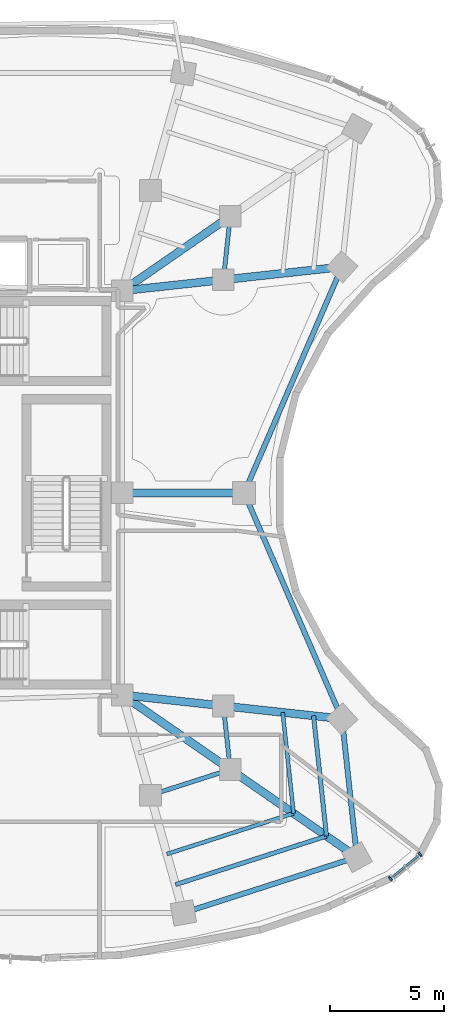
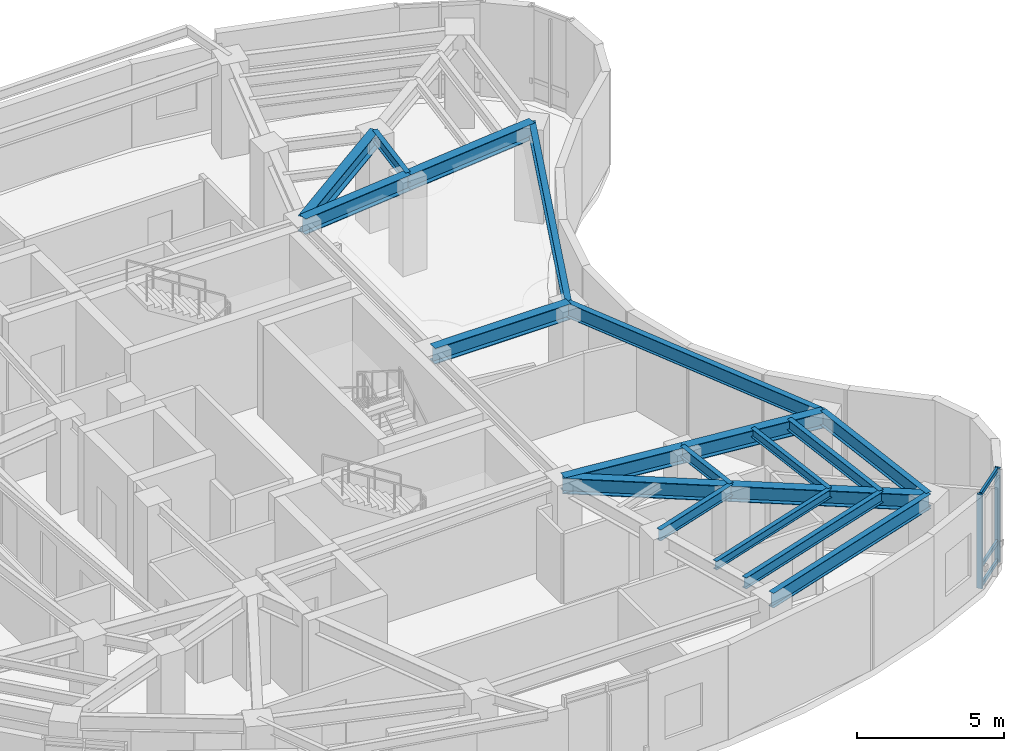
# One storey, part 4 of 13: 19 beams, 5 members, 1 element without a shape of its own.
"""IFC4 building model written with IfcOpenShell, lengths in metres."""

import ifcopenshell
import ifcopenshell.guid

model = None  # the IFC model being written
_history = None  # IfcOwnerHistory: only IFC2X3 demands one
_inside = {}  # id of a spatial element -> (the spatial element, [elements in it])
_under = {}  # id of a project, library or spatial element -> (it, [spatial elements below it])
_declared = {}  # id of a project -> (the project, [libraries it declares])
_typed = {}  # id of a type object -> (the type object, [elements of that type])
_made_of = {}  # id of a material, layer set ... -> (it, [elements and type objects made of it])


def new_model(schema):
    """Start an empty IFC model of exactly this schema.

    Asked for "IFC4X3", IfcOpenShell would pick the latest addendum, in which some entities
    have other attributes; the version numbers below select the first issue.
    IFC2X3 requires an IfcOwnerHistory on every rooted entity: one is made here for all.
    """
    global model, _history
    if schema == "IFC4X3":
        model = ifcopenshell.file(schema_version=(4, 3, 0, 0))
    else:
        model = ifcopenshell.file(schema=schema)
    _inside.clear()
    _under.clear()
    _declared.clear()
    _typed.clear()
    _made_of.clear()
    _history = None
    if model.schema == "IFC2X3":
        org = make("IfcOrganization", Name="unknown")
        user = make(
            "IfcPersonAndOrganization",
            ThePerson=make("IfcPerson", FamilyName="unknown"),
            TheOrganization=org,
        )
        app = make(
            "IfcApplication",
            ApplicationDeveloper=org,
            Version="unknown",
            ApplicationFullName="unknown",
            ApplicationIdentifier="unknown",
        )
        _history = make(
            "IfcOwnerHistory",
            OwningUser=user,
            OwningApplication=app,
            ChangeAction="ADDED",
            CreationDate=0,
        )
    return model


def make(cls, **values):
    """One entity of the class cls with the attributes given. An attribute that is None is left unset."""
    return model.create_entity(
        cls, **{name: value for name, value in values.items() if value is not None}
    )


def rooted(cls, **values):
    """An entity with a GlobalId (a new one), such as an element, a storey or a relation."""
    return make(cls, GlobalId=ifcopenshell.guid.new(), OwnerHistory=_history, **values)


def si_unit(unit_type, name, prefix=None):
    """IfcSIUnit, for example si_unit("LENGTHUNIT", "METRE", prefix="MILLI")."""
    return make("IfcSIUnit", UnitType=unit_type, Prefix=prefix, Name=name)


def assignment(units):
    """IfcUnitAssignment: the units of a project."""
    return None if units is None else make("IfcUnitAssignment", Units=units)


def point(xyz):
    """IfcCartesianPoint."""
    return None if xyz is None else make("IfcCartesianPoint", Coordinates=xyz)


def direction(xyz):
    """IfcDirection."""
    return None if xyz is None else make("IfcDirection", DirectionRatios=xyz)


def frame(location, z_axis=None, x_axis=None):
    """IfcAxis2Placement3D, a coordinate frame: its origin and axes. An axis left out is left unset."""
    return make(
        "IfcAxis2Placement3D",
        Location=point(location),
        Axis=direction(z_axis),
        RefDirection=direction(x_axis),
    )


def frame_2d(location, x_axis=None):
    """IfcAxis2Placement2D, a coordinate frame in the plane: its origin and x axis."""
    return make(
        "IfcAxis2Placement2D", Location=point(location), RefDirection=direction(x_axis)
    )


def origin():
    """The frame at (0, 0, 0) with its axes left unset."""
    return frame((0.0, 0.0, 0.0))


def origin_2d():
    """The frame at (0, 0) in the plane with its x axis left unset."""
    return frame_2d((0.0, 0.0))


def place(relative_to, where):
    """IfcLocalPlacement: puts the frame where relative to a parent placement (None: the world)."""
    return make(
        "IfcLocalPlacement", PlacementRelTo=relative_to, RelativePlacement=where
    )


def context(
    kind, dimensions, precision=None, world=None, true_north=None, identifier=None
):
    """IfcGeometricRepresentationContext, for example the 3D "Model" context."""
    return make(
        "IfcGeometricRepresentationContext",
        ContextIdentifier=identifier,
        ContextType=kind,
        CoordinateSpaceDimension=dimensions,
        Precision=precision,
        WorldCoordinateSystem=world,
        TrueNorth=true_north,
    )


def subcontext(parent, identifier, kind, view, scale=None):
    """IfcGeometricRepresentationSubContext, for example "Body" below "Model"."""
    return make(
        "IfcGeometricRepresentationSubContext",
        ContextIdentifier=identifier,
        ContextType=kind,
        ParentContext=parent,
        TargetScale=scale,
        TargetView=view,
    )


def project(units=None, contexts=None):
    """IfcProject with its units and contexts."""
    return rooted(
        "IfcProject",
        Name="project",
        RepresentationContexts=contexts,
        UnitsInContext=assignment(units),
    )


def spatial(cls, under=None, at=None, **own):
    """A site, building, storey or space (cls), placed at a placement, below another one or the project."""
    s = rooted(cls, ObjectPlacement=at, **own)
    if under is not None:
        _under.setdefault(under.id(), (under, []))[1].append(s)
    return s


def profile(cls, at=None, kind="AREA", **sizes):
    """A parametric profile (cls). Its sizes go by their IFC names, for example OverallWidth=200.0."""
    return make(cls, ProfileType=kind, Position=at, **sizes)


def rectangle(**sizes):
    """IfcRectangleProfileDef."""
    return profile("IfcRectangleProfileDef", **sizes)


def i_section(**sizes):
    """IfcIShapeProfileDef."""
    return profile("IfcIShapeProfileDef", **sizes)


def extrude(swept, where, along, depth):
    """IfcExtrudedAreaSolid: the profile swept, set in the frame where, extruded along a direction by depth."""
    return make(
        "IfcExtrudedAreaSolid",
        SweptArea=swept,
        Position=where,
        ExtrudedDirection=direction(along),
        Depth=depth,
    )


def shape(context_of_items, identifier, shape_type, items):
    """IfcShapeRepresentation: the items that make up one representation, for example the "Body"."""
    return make(
        "IfcShapeRepresentation",
        ContextOfItems=context_of_items,
        RepresentationIdentifier=identifier,
        RepresentationType=shape_type,
        Items=items,
    )


def material(Name=None, Category=None):
    """IfcMaterial."""
    return make("IfcMaterial", Name=Name, Category=Category)


def layer(
    of_material, thickness, ventilated=None, Name=None, Category=None, Priority=None
):
    """IfcMaterialLayer: one layer of a wall or slab, of a material (None: an air gap)."""
    return make(
        "IfcMaterialLayer",
        Material=of_material,
        LayerThickness=thickness,
        IsVentilated=ventilated,
        Name=Name,
        Category=Category,
        Priority=Priority,
    )


def layer_set(layers, Name=None):
    """IfcMaterialLayerSet."""
    return make("IfcMaterialLayerSet", MaterialLayers=layers, LayerSetName=Name)


def material_profile(
    of_material, cross_section, Name=None, Category=None, Priority=None
):
    """IfcMaterialProfile: a cross section and its material."""
    return make(
        "IfcMaterialProfile",
        Name=Name,
        Material=of_material,
        Profile=cross_section,
        Priority=Priority,
        Category=Category,
    )


def profile_set(profiles, Name=None, composite=None):
    """IfcMaterialProfileSet."""
    return make(
        "IfcMaterialProfileSet",
        Name=Name,
        MaterialProfiles=profiles,
        CompositeProfile=composite,
    )


def made_of(thing, what):
    """Note that an element or type object is made of a material, layer set ...; save() writes the relation."""
    if what is not None:
        _made_of.setdefault(what.id(), (what, []))[1].append(thing)
    return thing


def type_object(cls, material=None, **own):
    """A type object (cls), such as IfcWallType, which elements share."""
    return made_of(rooted(cls, **own), material)


def element(
    cls,
    number,
    at=None,
    inside=None,
    cuts=None,
    type_object=None,
    material=None,
    context=None,
    identifier="Body",
    shape_type=None,
    held_by="IfcProductDefinitionShape",
    body=None,
    shapes=None,
    **own,
):
    """One element of the class cls, such as IfcWall. Its Tag is "e" and its number.

    at: its placement. inside: the storey or other place that contains it. cuts: it is an
    opening in that element (IfcRelVoidsElement). A single representation is given by context,
    identifier, shape_type and body (its items); several are given by shapes. held_by: the class
    of the entity that holds the representations. save() writes the other relations.
    """
    e = rooted(cls, Tag="e%d" % number, ObjectPlacement=at, **own)
    if body is not None:
        shapes = [shape(context, identifier, shape_type, body)]
    if shapes is not None:
        e.Representation = make(held_by, Representations=shapes)
    if inside is not None:
        _inside.setdefault(inside.id(), (inside, []))[1].append(e)
    if cuts is not None:
        rooted(
            "IfcRelVoidsElement", RelatingBuildingElement=cuts, RelatedOpeningElement=e
        )
    if type_object is not None:
        _typed.setdefault(type_object.id(), (type_object, []))[1].append(e)
    return made_of(e, material)


def aggregate(whole, parts):
    """IfcRelAggregates: a whole, such as a stair, and the parts it consists of."""
    return rooted("IfcRelAggregates", RelatingObject=whole, RelatedObjects=parts)


def save(model, path):
    """Write the relations noted so far, then the file.

    IfcRelAggregates (storeys below a building ...), IfcRelContainedInSpatialStructure (elements
    in a storey), IfcRelDefinesByType, IfcRelAssociatesMaterial and IfcRelDeclares: one each for
    every whole, place, type object, material and project.
    """
    for whole, parts in _under.values():
        aggregate(whole, parts)
    for where, things in _inside.values():
        rooted(
            "IfcRelContainedInSpatialStructure",
            RelatedElements=things,
            RelatingStructure=where,
        )
    for kind, things in _typed.values():
        rooted("IfcRelDefinesByType", RelatedObjects=things, RelatingType=kind)
    for what, things in _made_of.values():
        rooted("IfcRelAssociatesMaterial", RelatedObjects=things, RelatingMaterial=what)
    for by, libraries in _declared.values():
        rooted("IfcRelDeclares", RelatingContext=by, RelatedDefinitions=libraries)
    model.write(path)


model = new_model("IFC4")

# Units and contexts
model_context = context("Model", 3, precision=1e-05, world=origin(), true_north=direction((0.0, 1.0)))
body_context = subcontext(model_context, "Body", "Model", "MODEL_VIEW")
ifc_project = project(units=[si_unit("LENGTHUNIT", "METRE"), si_unit("AREAUNIT", "SQUARE_METRE"), si_unit("VOLUMEUNIT", "CUBIC_METRE"), si_unit("PLANEANGLEUNIT", "RADIAN"), si_unit("MASSUNIT", "GRAM", prefix="KILO")], contexts=[model_context])

# Site, building, storey
site_placement = place(None, origin())
site = spatial("IfcSite", under=ifc_project, at=site_placement, CompositionType="ELEMENT")
building_placement = place(site_placement, origin())
building = spatial("IfcBuilding", under=site, at=building_placement, Name="Korentha Bioscience Tower", CompositionType="ELEMENT")
storey_placement = place(building_placement, frame((0.0, 0.0, 175.199951171875)))
storey = spatial("IfcBuildingStorey", under=building, at=storey_placement, Name="L40", CompositionType="ELEMENT", Elevation=175.199951171875)

# Beams
ifc_material_1 = material(Name="Steel S355", Category="steel")
ifc_material_profile_1 = material_profile(ifc_material_1, i_section(OverallWidth=0.18994140625, OverallDepth=0.45703125, WebThickness=0.009033203125, FlangeThickness=0.014404296875, at=origin_2d()), Name="Steel S355")
ifc_profile_set_1 = profile_set([ifc_material_profile_1], Name="Steel S355 (MB-460)")
beam_type_1 = type_object("IfcBeamType", Name="Mid-Ring Tie Girder W460x74", PredefinedType="BEAM", material=ifc_profile_set_1)
beam_1_placement = place(storey_placement, frame((38.77880859375, 13.7587890625, 3.671630859375), z_axis=(0.952000195343, 0.306097415976, 0.0), x_axis=(-0.306097415976, 0.952000195343, 0.0)))
element("IfcBeam", 1, at=beam_1_placement, inside=storey, type_object=beam_type_1, Name="L40 Mid-Ring Tie Girder 12", PredefinedType="BEAM", context=body_context, shape_type="SweptSolid", body=[
    extrude(i_section(OverallWidth=0.18994140625, OverallDepth=0.45703125, WebThickness=0.009033203125, FlangeThickness=0.014404296875, at=origin_2d()), origin(), (0.0, 0.0, 1.0), 3.672119140625),
])
for number, where, z_axis, x_axis, name in (
    (2, (42.274658203125, 14.8828125, 3.671630859375), (-0.107283940056, 0.99422842255, 0.0), (-0.99422842255, -0.107283940056, 0.0), "L40 Mid-Ring Tie Girder 13"),
    (3, (41.97412109375, 36.33203125, 3.671630859375), (0.107283940056, 0.99422842255, 0.0), (-0.99422842255, 0.107283940056, 0.0), "L40 Mid-Ring Tie Girder 16"),
):
    element("IfcBeam", number, at=place(storey_placement, frame(where, z_axis=z_axis, x_axis=x_axis)), inside=storey, type_object=beam_type_1, Name=name, PredefinedType="BEAM", context=body_context, shape_type="SweptSolid", body=[
        extrude(i_section(OverallWidth=0.18994140625, OverallDepth=0.45703125, WebThickness=0.009033203125, FlangeThickness=0.014404296875, at=origin_2d()), origin(), (0.0, 0.0, 1.0), 2.80126953125),
    ])

# Curtain wall, members
ifc_material_2 = material(Name="Thermally Broken Aluminium Frame", Category="aluminium")
ifc_layer = layer(ifc_material_2, 0.219970703125, Name="Thermally Broken Aluminium Frame")
ifc_layer_set = layer_set([ifc_layer], Name="Thermally Broken Aluminium Frame (CW-T2)")
curtain_wall_type = type_object("IfcCurtainWallType", Name="Solar-Screened Lab Unitised Curtain Wall CW-T2", PredefinedType="USERDEFINED", material=ifc_layer_set)
curtain_wall_placement = place(storey_placement, origin())
curtain_wall = element("IfcCurtainWall", 4, at=curtain_wall_placement, inside=storey, type_object=curtain_wall_type, Name="L40 Curtain Wall 37", ObjectType="UNITISED", PredefinedType="USERDEFINED")
ifc_material_3 = material(Name="Anodised Aluminium 6063-T6", Category="aluminium")
ifc_material_profile_2 = material_profile(ifc_material_3, rectangle(XDim=0.090087890625, YDim=0.199951171875, at=origin_2d()), Name="Anodised Aluminium 6063-T6")
ifc_profile_set_2 = profile_set([ifc_material_profile_2], Name="Anodised Aluminium 6063-T6 (CW-MUL)")
member_type_1 = type_object("IfcMemberType", Name="Mullion RECT 90x200", PredefinedType="MULLION", material=ifc_profile_set_2)
member_1_placement = place(storey_placement, frame((49.28759765625, 10.105224609375, 0.0), z_axis=(0.0, 0.0, 1.0), x_axis=(0.77425646139, 0.632871971251, 0.0)))
member_1 = element("IfcMember", 5, at=member_1_placement, type_object=member_type_1, Name="CW-L40-37 Mullion 1", PredefinedType="MULLION", context=body_context, shape_type="SweptSolid", body=[
    extrude(rectangle(XDim=0.090087890625, YDim=0.199951171875, at=origin_2d()), origin(), (0.0, 0.0, 1.0), 3.900146484375),
])
member_2_placement = place(storey_placement, frame((50.58984375, 11.169677734375, 0.0), z_axis=(0.0, 0.0, 1.0), x_axis=(0.77425646139, 0.632871971251, 0.0)))
member_2 = element("IfcMember", 6, at=member_2_placement, type_object=member_type_1, Name="CW-L40-37 Mullion 2", PredefinedType="MULLION", context=body_context, shape_type="SweptSolid", body=[
    extrude(rectangle(XDim=0.090087890625, YDim=0.199951171875, at=origin_2d()), origin(), (0.0, 0.0, 1.0), 3.900146484375),
])

# Beams
ifc_material_profile_3 = material_profile(ifc_material_1, i_section(OverallWidth=0.22802734375, OverallDepth=0.60791015625, WebThickness=0.01123046875, FlangeThickness=0.017333984375, at=origin_2d()), Name="Steel S355")
ifc_profile_set_3 = profile_set([ifc_material_profile_3], Name="Steel S355 (SB-610)")
beam_type_2 = type_object("IfcBeamType", Name="Perimeter Ring Spandrel Girder W610x113", PredefinedType="SPANDREL", material=ifc_profile_set_3)
beam_2_placement = place(storey_placement, frame((40.22119140625, 8.60400390625, 3.595947265625), z_axis=(0.952008512555, 0.306071547228, 0.0), x_axis=(-0.306071547228, 0.952008512555, 0.0)))
element("IfcBeam", 7, at=beam_2_placement, inside=storey, type_object=beam_type_2, Name="L40 Perimeter Spandrel Girder 12", PredefinedType="SPANDREL", context=body_context, shape_type="SweptSolid", body=[
    extrude(i_section(OverallWidth=0.22802734375, OverallDepth=0.60791015625, WebThickness=0.01123046875, FlangeThickness=0.017333984375, at=origin_2d()), origin(), (0.0, 0.0, 1.0), 7.98291015625),
])
beam_3_placement = place(storey_placement, frame((47.821044921875, 11.04736328125, 3.595947265625), z_axis=(-0.10732012232, 0.994224517574, 0.0), x_axis=(-0.994224517574, -0.10732012232, 0.0)))
element("IfcBeam", 8, at=beam_3_placement, inside=storey, type_object=beam_type_2, Name="L40 Perimeter Spandrel Girder 13", PredefinedType="SPANDREL", context=body_context, shape_type="SweptSolid", body=[
    extrude(i_section(OverallWidth=0.22802734375, OverallDepth=0.60791015625, WebThickness=0.01123046875, FlangeThickness=0.017333984375, at=origin_2d()), origin(), (0.0, 0.0, 1.0), 6.08984375),
])
for number, where, z_axis, x_axis, name in (
    (9, (47.16748046875, 17.10205078125, 3.595947265625), (-0.397336815315, 0.917672847585, 0.0), (-0.917672847585, -0.397336815315, 0.0), "L40 Perimeter Spandrel Girder 14"),
    (10, (42.8818359375, 27.0, 3.595947265625), (0.397336815315, 0.917672847585, 0.0), (-0.917672847585, 0.397336815315, 0.0), "L40 Perimeter Spandrel Girder 15"),
):
    element("IfcBeam", number, at=place(storey_placement, frame(where, z_axis=z_axis, x_axis=x_axis)), inside=storey, type_object=beam_type_2, Name=name, PredefinedType="SPANDREL", context=body_context, shape_type="SweptSolid", body=[
        extrude(i_section(OverallWidth=0.22802734375, OverallDepth=0.60791015625, WebThickness=0.01123046875, FlangeThickness=0.017333984375, at=origin_2d()), origin(), (0.0, 0.0, 1.0), 10.785888671875),
    ])
ifc_material_profile_4 = material_profile(ifc_material_1, i_section(OverallWidth=0.18994140625, OverallDepth=0.45703125, WebThickness=0.009033203125, FlangeThickness=0.014404296875, at=origin_2d()), Name="Steel S355")
ifc_profile_set_4 = profile_set([ifc_material_profile_4], Name="Steel S355 (RB-460)")
beam_type_3 = type_object("IfcBeamType", Name="Radial Laboratory Beam W460x74", PredefinedType="BEAM", material=ifc_profile_set_4)
beam_4_placement = place(storey_placement, frame((39.875, 9.84130859375, 3.671630859375), z_axis=(0.952009183817, 0.306069459318, 0.0), x_axis=(-0.306069459318, 0.952009183817, 0.0)))
element("IfcBeam", 11, at=beam_4_placement, inside=storey, type_object=beam_type_3, Name="L40 Secondary Floor Beam JSTO-12", PredefinedType="BEAM", context=body_context, shape_type="SweptSolid", body=[
    extrude(i_section(OverallWidth=0.18994140625, OverallDepth=0.45703125, WebThickness=0.009033203125, FlangeThickness=0.014404296875, at=origin_2d()), origin(), (0.0, 0.0, 1.0), 6.948486328125),
])
beam_5_placement = place(storey_placement, frame((46.489990234375, 11.968017578125, 3.671630859375), z_axis=(-0.107321875607, 0.994224328316, 0.0), x_axis=(-0.994224328316, -0.107321875607, 0.0)))
element("IfcBeam", 12, at=beam_5_placement, inside=storey, type_object=beam_type_3, Name="L40 Secondary Floor Beam JSTO-13", PredefinedType="BEAM", context=body_context, shape_type="SweptSolid", body=[
    extrude(i_section(OverallWidth=0.18994140625, OverallDepth=0.45703125, WebThickness=0.009033203125, FlangeThickness=0.014404296875, at=origin_2d()), origin(), (0.0, 0.0, 1.0), 5.30029296875),
])
ifc_material_profile_5 = material_profile(ifc_material_1, i_section(OverallWidth=0.35009765625, OverallDepth=0.64990234375, WebThickness=0.01611328125, FlangeThickness=0.02490234375, at=origin_2d()), Name="Steel S355")
ifc_profile_set_5 = profile_set([ifc_material_profile_5], Name="Steel S355 (RB-650)")
beam_type_4 = type_object("IfcBeamType", Name="Radial Laboratory Girder CVS 650x208", PredefinedType="BEAM", material=ifc_profile_set_5)
for number, where, z_axis, x_axis, name in (
    (13, (37.550048828125, 35.85009765625, 3.574951171875), (0.822501145898, 0.568763452584, 0.0), (-0.568763452584, 0.822501145898, 0.0), "L40 Inner Radial Girder 01"),
    (14, (37.550048828125, 18.14990234375, 3.574951171875), (0.822501145898, -0.568763452584, 0.0), (0.568763452584, 0.822501145898, 0.0), "L40 Inner Radial Girder 13"),
):
    element("IfcBeam", number, at=place(storey_placement, frame(where, z_axis=z_axis, x_axis=x_axis)), inside=storey, type_object=beam_type_4, Name=name, PredefinedType="BEAM", context=body_context, shape_type="SweptSolid", body=[
        extrude(i_section(OverallWidth=0.35009765625, OverallDepth=0.64990234375, WebThickness=0.01611328125, FlangeThickness=0.02490234375, at=origin_2d()), origin(), (0.0, 0.0, 1.0), 5.744140625),
    ])
beam_6_placement = place(storey_placement, frame((42.274658203125, 14.8828125, 3.574951171875), z_axis=(0.822494455845, -0.568773127094, 0.0), x_axis=(0.568773127094, 0.822494455845, 0.0)))
element("IfcBeam", 15, at=beam_6_placement, inside=storey, type_object=beam_type_4, Name="L40 Outer Radial Girder 13", PredefinedType="BEAM", context=body_context, shape_type="SweptSolid", body=[
    extrude(i_section(OverallWidth=0.35009765625, OverallDepth=0.64990234375, WebThickness=0.01611328125, FlangeThickness=0.02490234375, at=origin_2d()), origin(), (0.0, 0.0, 1.0), 6.743408203125),
])
beam_7_placement = place(storey_placement, frame((37.550048828125, 18.14990234375, 3.574951171875), z_axis=(0.994118939953, -0.108293735857, 0.0), x_axis=(0.108293735857, 0.994118939953, 0.0)))
element("IfcBeam", 16, at=beam_7_placement, inside=storey, type_object=beam_type_4, Name="L40 Inner Radial Girder 14", PredefinedType="BEAM", context=body_context, shape_type="SweptSolid", body=[
    extrude(i_section(OverallWidth=0.35009765625, OverallDepth=0.64990234375, WebThickness=0.01611328125, FlangeThickness=0.02490234375, at=origin_2d()), origin(), (0.0, 0.0, 1.0), 4.4501953125),
])
beam_8_placement = place(storey_placement, frame((41.97412109375, 17.66796875, 3.574951171875), z_axis=(0.994115177281, -0.108328271011, 0.0), x_axis=(0.108328271011, 0.994115177281, 0.0)))
element("IfcBeam", 17, at=beam_8_placement, inside=storey, type_object=beam_type_4, Name="L40 Outer Radial Girder 14", PredefinedType="BEAM", context=body_context, shape_type="SweptSolid", body=[
    extrude(i_section(OverallWidth=0.35009765625, OverallDepth=0.64990234375, WebThickness=0.01611328125, FlangeThickness=0.02490234375, at=origin_2d()), origin(), (0.0, 0.0, 1.0), 5.22412109375),
])
beam_9_placement = place(storey_placement, frame((37.550048828125, 27.0, 3.574951171875), z_axis=(1.0, 0.0, 0.0), x_axis=(0.0, 1.0, 0.0)))
element("IfcBeam", 18, at=beam_9_placement, inside=storey, type_object=beam_type_4, Name="L40 Radial Girder 15", PredefinedType="BEAM", context=body_context, shape_type="SweptSolid", body=[
    extrude(i_section(OverallWidth=0.35009765625, OverallDepth=0.64990234375, WebThickness=0.01611328125, FlangeThickness=0.02490234375, at=origin_2d()), origin(), (0.0, 0.0, 1.0), 5.331787109375),
])
beam_10_placement = place(storey_placement, frame((37.550048828125, 35.85009765625, 3.574951171875), z_axis=(0.994118939953, 0.108293735857, 0.0), x_axis=(-0.108293735857, 0.994118939953, 0.0)))
element("IfcBeam", 19, at=beam_10_placement, inside=storey, type_object=beam_type_4, Name="L40 Inner Radial Girder 16", PredefinedType="BEAM", context=body_context, shape_type="SweptSolid", body=[
    extrude(i_section(OverallWidth=0.35009765625, OverallDepth=0.64990234375, WebThickness=0.01611328125, FlangeThickness=0.02490234375, at=origin_2d()), origin(), (0.0, 0.0, 1.0), 4.4501953125),
])
beam_11_placement = place(storey_placement, frame((41.97412109375, 36.33203125, 3.574951171875), z_axis=(0.994115177281, 0.108328271011, 0.0), x_axis=(-0.108328271011, 0.994115177281, 0.0)))
element("IfcBeam", 20, at=beam_11_placement, inside=storey, type_object=beam_type_4, Name="L40 Outer Radial Girder 16", PredefinedType="BEAM", context=body_context, shape_type="SweptSolid", body=[
    extrude(i_section(OverallWidth=0.35009765625, OverallDepth=0.64990234375, WebThickness=0.01611328125, FlangeThickness=0.02490234375, at=origin_2d()), origin(), (0.0, 0.0, 1.0), 5.22412109375),
])
ifc_material_profile_6 = material_profile(ifc_material_1, i_section(OverallWidth=0.1708984375, OverallDepth=0.35498046875, WebThickness=0.007080078125, FlangeThickness=0.01171875, at=origin_2d()), Name="Steel S355")
ifc_profile_set_6 = profile_set([ifc_material_profile_6], Name="Steel S355 (JB-360)")
beam_type_5 = type_object("IfcBeamType", Name="Secondary Laboratory Joist W360x51", PredefinedType="JOIST", material=ifc_profile_set_6)
beam_12_placement = place(storey_placement, frame((39.5, 11.181396484375, 3.72265625), z_axis=(0.952005892166, 0.306079697596, 0.0), x_axis=(-0.306079697596, 0.952005892166, 0.0)))
element("IfcBeam", 21, at=beam_12_placement, inside=storey, type_object=beam_type_5, Name="L40 Secondary Floor Beam JST-12", PredefinedType="JOIST", context=body_context, shape_type="SweptSolid", body=[
    extrude(i_section(OverallWidth=0.1708984375, OverallDepth=0.35498046875, WebThickness=0.007080078125, FlangeThickness=0.01171875, at=origin_2d()), origin(), (0.0, 0.0, 1.0), 5.82763671875),
])
beam_13_placement = place(storey_placement, frame((45.0478515625, 12.965087890625, 3.72265625), z_axis=(-0.107308722475, 0.994225748048, 0.0), x_axis=(-0.994225748048, -0.107308722475, 0.0)))
element("IfcBeam", 22, at=beam_13_placement, inside=storey, type_object=beam_type_5, Name="L40 Secondary Floor Beam JST-13", PredefinedType="JOIST", context=body_context, shape_type="SweptSolid", body=[
    extrude(i_section(OverallWidth=0.1708984375, OverallDepth=0.35498046875, WebThickness=0.007080078125, FlangeThickness=0.01171875, at=origin_2d()), origin(), (0.0, 0.0, 1.0), 4.445556640625),
])

# Member
ifc_material_profile_7 = material_profile(ifc_material_3, rectangle(XDim=0.090087890625, YDim=0.159912109375, at=origin_2d()), Name="Anodised Aluminium 6063-T6")
ifc_profile_set_7 = profile_set([ifc_material_profile_7], Name="Anodised Aluminium 6063-T6 (CW-TRN)")
member_type_2 = type_object("IfcMemberType", Name="Transom RECT 90x160", PredefinedType="USERDEFINED", material=ifc_profile_set_7)
member_3_placement = place(storey_placement, frame((49.322509765625, 10.1337890625, 0.045166015625), z_axis=(0.77427156069, 0.632853498297, 0.0), x_axis=(-0.632853498297, 0.77427156069, 0.0)))
member_3 = element("IfcMember", 23, at=member_3_placement, type_object=member_type_2, Name="CW-L40-37 Bay 1 Transom 1", ObjectType="TRANSOM", PredefinedType="USERDEFINED", context=body_context, shape_type="SweptSolid", body=[
    extrude(rectangle(XDim=0.090087890625, YDim=0.159912109375, at=origin_2d()), origin(), (0.0, 0.0, 1.0), 1.591796875),
])

member_4_placement = place(storey_placement, frame((49.322509765625, 10.1337890625, 0.85009765625), z_axis=(0.77427156069, 0.632853498297, 0.0), x_axis=(-0.632853498297, 0.77427156069, 0.0)))
member_4 = element("IfcMember", 24, at=member_4_placement, type_object=member_type_2, Name="CW-L40-37 Bay 1 Transom 2", ObjectType="TRANSOM", PredefinedType="USERDEFINED", context=body_context, shape_type="SweptSolid", body=[
    extrude(rectangle(XDim=0.090087890625, YDim=0.159912109375, at=origin_2d()), origin(), (0.0, 0.0, 1.0), 1.591796875),
])

member_5_placement = place(storey_placement, frame((49.322509765625, 10.1337890625, 3.85498046875), z_axis=(0.77427156069, 0.632853498297, 0.0), x_axis=(-0.632853498297, 0.77427156069, 0.0)))
member_5 = element("IfcMember", 25, at=member_5_placement, type_object=member_type_2, Name="CW-L40-37 Bay 1 Transom 3", ObjectType="TRANSOM", PredefinedType="USERDEFINED", context=body_context, shape_type="SweptSolid", body=[
    extrude(rectangle(XDim=0.090087890625, YDim=0.159912109375, at=origin_2d()), origin(), (0.0, 0.0, 1.0), 1.591796875),
])

aggregate(curtain_wall, [member_1, member_2, member_3, member_4, member_5])

save(model, "model.ifc")
